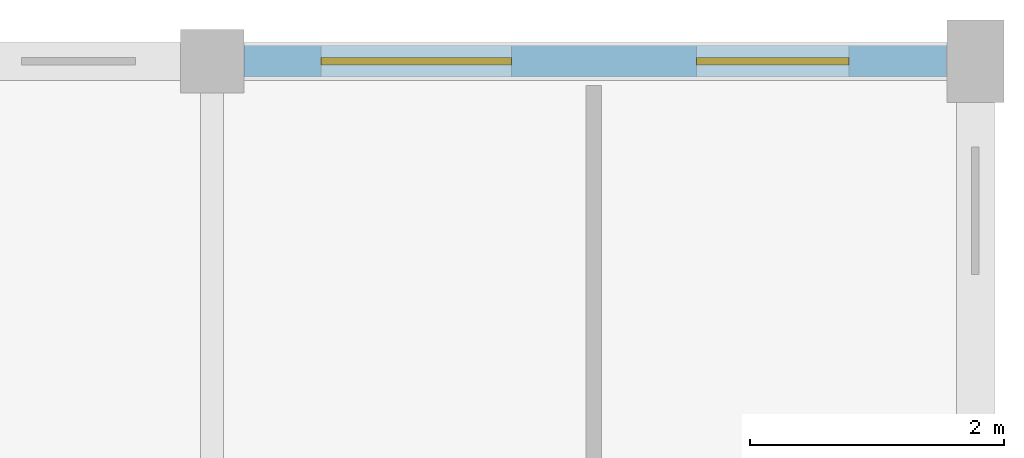
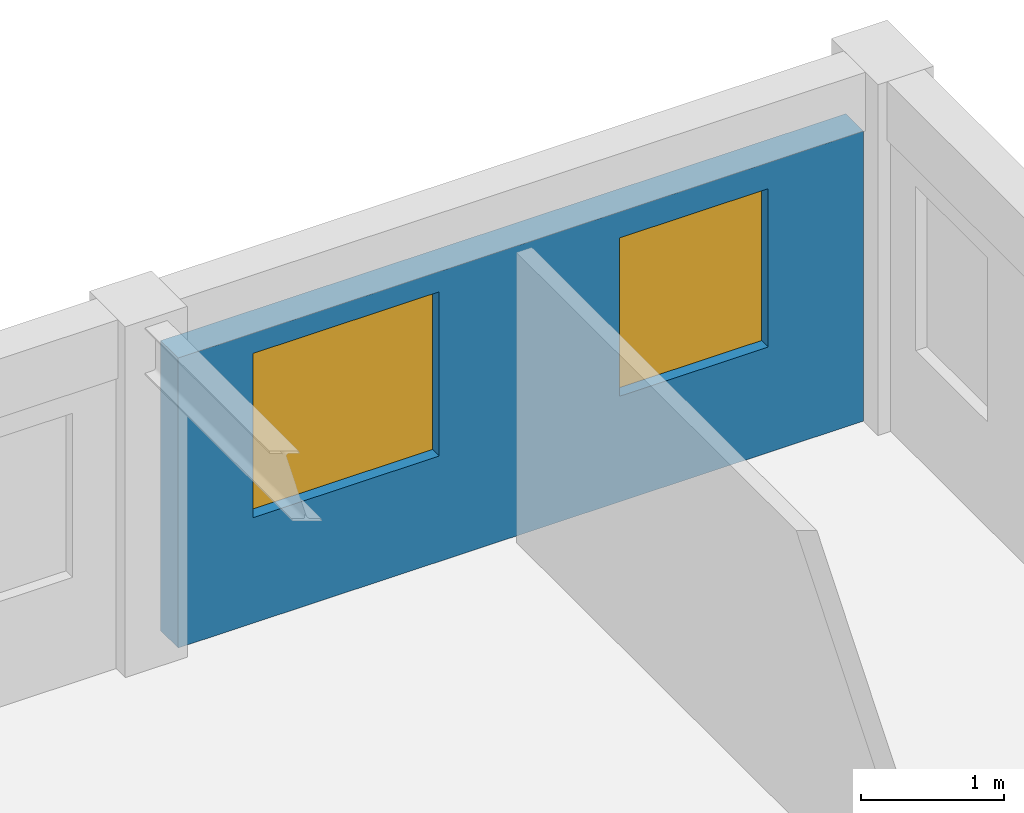
# One storey, part 10 of 13: 2 windows, 1 wall, 2 openings.
"""IFC4 building model written with IfcOpenShell, lengths in metres."""

from ifc_helpers import new_model, si_unit, direction, frame, frame_2d, origin, place, context, subcontext, project, spatial, rectangle, extrude, material, layer, layer_set, type_object, element, fill, save


model = new_model("IFC4")

# Units and contexts
model_context = context("Model", 3, precision=1e-05, world=origin(), true_north=direction((0.0, 1.0)))
body_context = subcontext(model_context, "Body", "Model", "MODEL_VIEW")
ifc_project = project(units=[si_unit("LENGTHUNIT", "METRE"), si_unit("AREAUNIT", "SQUARE_METRE"), si_unit("VOLUMEUNIT", "CUBIC_METRE"), si_unit("PLANEANGLEUNIT", "RADIAN"), si_unit("MASSUNIT", "GRAM", prefix="KILO"), si_unit("POWERUNIT", "WATT"), si_unit("THERMODYNAMICTEMPERATUREUNIT", "KELVIN")], contexts=[model_context])

# Site, building, storey
site_placement = place(None, origin())
site = spatial("IfcSite", under=ifc_project, at=site_placement, CompositionType="ELEMENT")
building_placement = place(site_placement, origin())
building = spatial("IfcBuilding", under=site, at=building_placement, Name="Ruvembo Vaulted Housing Court", CompositionType="ELEMENT")
storey_placement = place(building_placement, frame((0.0, 0.0, 33.300048828125)))
storey = spatial("IfcBuildingStorey", under=building, at=storey_placement, Name="L10", CompositionType="ELEMENT", Elevation=33.300048828125)

# Wall, openings, windows
ifc_material_1 = material(Name="Rendered Masonry 245", Category="masonry")
ifc_layer = layer(ifc_material_1, 0.2451171875, Name="Rendered Masonry 245")
ifc_layer_set = layer_set([ifc_layer], Name="Rendered Masonry 245")
wall_type = type_object("IfcWallType", Name="WL-EXT-245", PredefinedType="STANDARD", material=ifc_layer_set)
wall_placement = place(storey_placement, frame((77.77490234375, 114.0, 0.0), z_axis=(0.0, 0.0, 1.0), x_axis=(-1.0, 0.0, 0.0)))
wall = element("IfcWall", 1, at=wall_placement, inside=storey, type_object=wall_type, Name="Block B L10 Exterior Wall STREET #1", PredefinedType="STANDARD", context=body_context, shape_type="SweptSolid", body=[
    extrude(rectangle(XDim=5.52490234375, YDim=0.2451171875, at=frame_2d((2.762451171875, 0.0))), origin(), (0.0, 0.0, 1.0), 2.471923828125),
])
opening_1_placement = place(wall_placement, frame((0.767578125, 0.0, 0.89990234375)))
opening_1 = element("IfcOpeningElement", 2, at=opening_1_placement, cuts=wall, Name="Opening W12", PredefinedType="OPENING", context=body_context, shape_type="SweptSolid", body=[
    extrude(rectangle(XDim=1.199951171875, YDim=1.35009765625, at=frame_2d((0.60009765625, 0.675048828125))), frame((0.0, 0.132568359375, 0.0), z_axis=(0.0, -1.0, 0.0), x_axis=(1.0, 0.0, 0.0)), (0.0, 0.0, 1.0), 0.26513671875),
])
opening_2_placement = place(wall_placement, frame((3.419921875, 0.0, 0.89990234375)))
opening_2 = element("IfcOpeningElement", 3, at=opening_2_placement, cuts=wall, Name="Opening W18", PredefinedType="OPENING", context=body_context, shape_type="SweptSolid", body=[
    extrude(rectangle(XDim=1.5, YDim=1.39990234375, at=frame_2d((0.75, 0.699951171875))), frame((0.0, 0.132568359375, 0.0), z_axis=(0.0, -1.0, 0.0), x_axis=(1.0, 0.0, 0.0)), (0.0, 0.0, 1.0), 0.26513671875),
])
ifc_material_2 = material(Name="Double Solar-Control Glazing in Aluminium Frame", Category="aluminium")
window_type_1 = type_object("IfcWindowType", Name="WIN-1200x1350", PartitioningType="SINGLE_PANEL", PredefinedType="WINDOW", material=ifc_material_2)
window_1_placement = place(opening_1_placement, origin())
window_1 = element("IfcWindow", 4, at=window_1_placement, inside=storey, type_object=window_type_1, Name="Block B L10 Window #1048", OverallHeight=1.35009765625, OverallWidth=1.199951171875, PartitioningType="SINGLE_PANEL", PredefinedType="WINDOW", context=body_context, shape_type="SweptSolid", body=[
    extrude(rectangle(XDim=1.199951171875, YDim=1.35009765625, at=frame_2d((0.60009765625, 0.675048828125))), frame((0.0, 0.030029296875, 0.0), z_axis=(0.0, -1.0, 0.0), x_axis=(1.0, 0.0, 0.0)), (0.0, 0.0, 1.0), 0.06005859375),
])
fill(opening_1, window_1)
window_type_2 = type_object("IfcWindowType", Name="WIN-1500x1400", PartitioningType="SINGLE_PANEL", PredefinedType="WINDOW", material=ifc_material_2)
window_2_placement = place(opening_2_placement, origin())
window_2 = element("IfcWindow", 5, at=window_2_placement, inside=storey, type_object=window_type_2, Name="Block B L10 Window #1049", OverallHeight=1.39990234375, OverallWidth=1.5, PartitioningType="SINGLE_PANEL", PredefinedType="WINDOW", context=body_context, shape_type="SweptSolid", body=[
    extrude(rectangle(XDim=1.5, YDim=1.39990234375, at=frame_2d((0.75, 0.699951171875))), frame((0.0, 0.030029296875, 0.0), z_axis=(0.0, -1.0, 0.0), x_axis=(1.0, 0.0, 0.0)), (0.0, 0.0, 1.0), 0.06005859375),
])
fill(opening_2, window_2)

save(model, "model.ifc")
